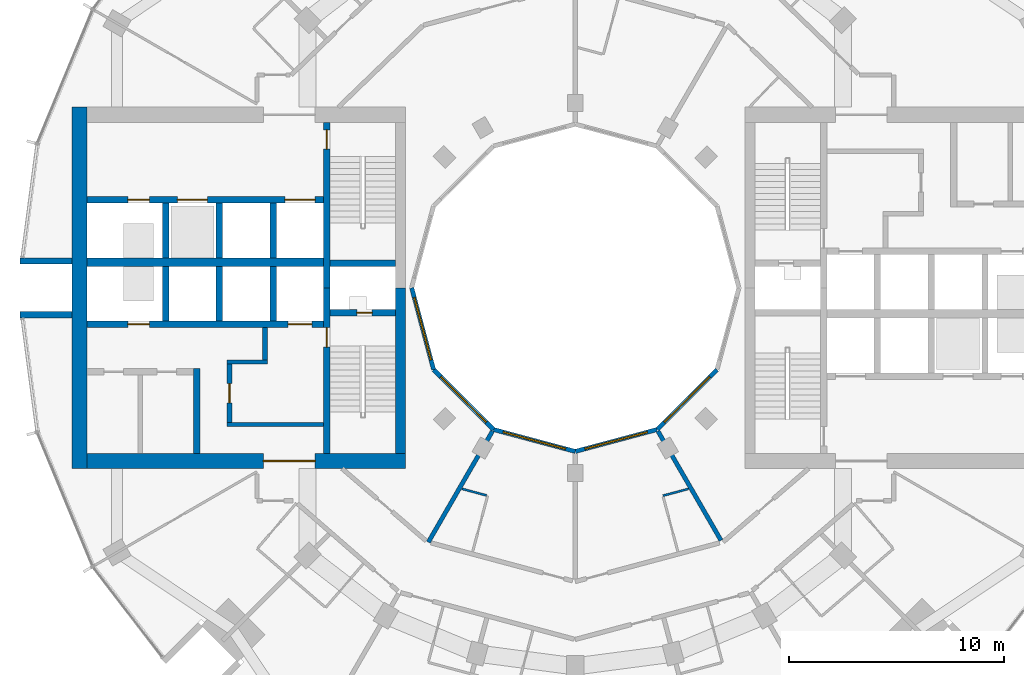
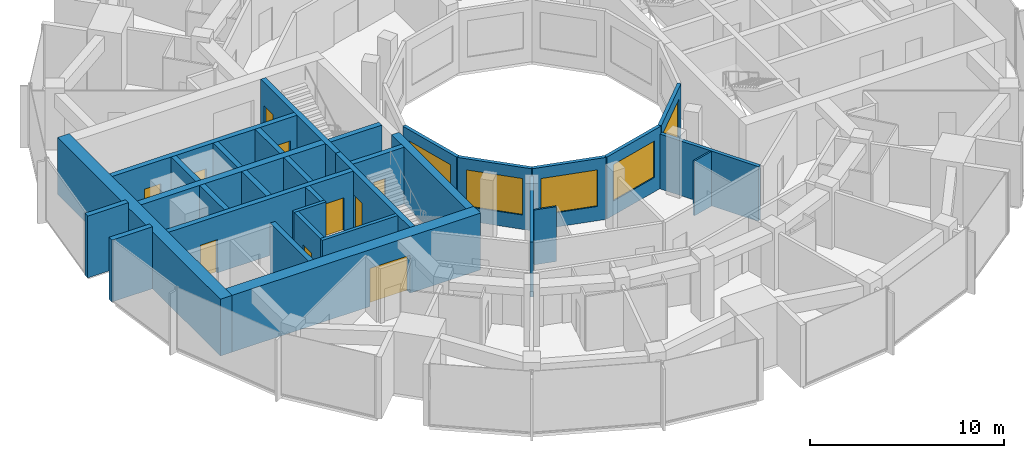
# One storey, part 9 of 15: 32 walls, 10 doors, 5 windows, 15 openings.
"""IFC4 building model written with IfcOpenShell, lengths in metres."""

from ifc_helpers import new_model, si_unit, direction, frame, frame_2d, origin, place, context, subcontext, project, spatial, rectangle, extrude, material, layer, layer_set, type_object, element, fill, save


model = new_model("IFC4")

# Units and contexts
model_context = context("Model", 3, precision=1e-05, world=origin(), true_north=direction((0.0, 1.0)))
body_context = subcontext(model_context, "Body", "Model", "MODEL_VIEW")
ifc_project = project(units=[si_unit("LENGTHUNIT", "METRE"), si_unit("AREAUNIT", "SQUARE_METRE"), si_unit("VOLUMEUNIT", "CUBIC_METRE"), si_unit("PLANEANGLEUNIT", "RADIAN"), si_unit("MASSUNIT", "GRAM", prefix="KILO")], contexts=[model_context])

# Site, building, storey
site_placement = place(None, origin())
site = spatial("IfcSite", under=ifc_project, at=site_placement, CompositionType="ELEMENT")
building_placement = place(site_placement, origin())
building = spatial("IfcBuilding", under=site, at=building_placement, Name="Torre Brocal", CompositionType="ELEMENT")
storey_placement = place(building_placement, frame((0.0, 0.0, 122.39990234375)))
storey = spatial("IfcBuildingStorey", under=building, at=storey_placement, Name="L28", CompositionType="ELEMENT", Elevation=122.39990234375)

# Walls
ifc_material_1 = material(Name="Concrete C70", Category="concrete")
ifc_layer_1 = layer(ifc_material_1, 0.199951171875)
ifc_layer_set_1 = layer_set([ifc_layer_1], Name="Concrete C70")
wall_type_1 = type_object("IfcWallType", Name="CORE WALL 200 C70", PredefinedType="SHEAR", material=ifc_layer_set_1)
wall_1_placement = place(storey_placement, frame((68.300048828125, 68.64990234375, 0.0), z_axis=(0.0, 0.0, 1.0), x_axis=(-1.0, 0.0, 0.0)))
element("IfcWall", 1, at=wall_1_placement, inside=storey, type_object=wall_type_1, Name="Wall CW200-70", PredefinedType="SHEAR", context=body_context, shape_type="SweptSolid", body=[
    extrude(rectangle(XDim=4.5, YDim=0.199951171875, at=frame_2d((2.25, 0.0))), origin(), (0.0, 0.0, 1.0), 3.580078125),
])
wall_2_placement = place(storey_placement, frame((65.699951171875, 71.550048828125, 0.0), z_axis=(0.0, 0.0, 1.0), x_axis=(-1.0, 0.0, 0.0)))
element("IfcWall", 2, at=wall_2_placement, inside=storey, type_object=wall_type_1, Name="Wall CW200-70", PredefinedType="SHEAR", context=body_context, shape_type="SweptSolid", body=[
    extrude(rectangle(XDim=1.89990234375, YDim=0.199951171875, at=frame_2d((0.949951171875, 0.0))), origin(), (0.0, 0.0, 1.0), 3.580078125),
])

# Wall, opening, door
ifc_material_2 = material(Name="Concrete C70", Category="concrete")
ifc_layer_2 = layer(ifc_material_2, 0.25)
ifc_layer_set_2 = layer_set([ifc_layer_2], Name="Concrete C70")
wall_type_2 = type_object("IfcWallType", Name="CORE WALL 250 C70", PredefinedType="SHEAR", material=ifc_layer_set_2)
wall_3_placement = place(storey_placement, frame((63.925048828125, 71.449951171875, 0.0), z_axis=(0.0, 0.0, 1.0), x_axis=(0.0, -1.0, 0.0)))
wall_3 = element("IfcWall", 3, at=wall_3_placement, inside=storey, type_object=wall_type_2, Name="Wall CW250-70", PredefinedType="SHEAR", context=body_context, shape_type="SweptSolid", body=[
    extrude(rectangle(XDim=2.699951171875, YDim=0.25, at=frame_2d((1.35009765625, 0.0))), origin(), (0.0, 0.0, 1.0), 3.580078125),
])
opening_1_placement = place(wall_3_placement, frame((0.89990234375, 0.0, 0.0)))
opening_1 = element("IfcOpeningElement", 4, at=opening_1_placement, cuts=wall_3, Name="Opening W-D15", PredefinedType="OPENING", context=body_context, shape_type="SweptSolid", body=[
    extrude(rectangle(XDim=0.89990234375, YDim=2.10009765625, at=frame_2d((0.449951171875, 1.050048828125))), frame((0.0, 0.135009765625, 0.0), z_axis=(0.0, -1.0, 0.0), x_axis=(1.0, 0.0, 0.0)), (0.0, 0.0, 1.0), 0.27001953125),
])
ifc_material_3 = material(Name="Steel A653", Category="steel")
door_type_1 = type_object("IfcDoorType", Name="LOBBY DOOR FD120 900X2100", OperationType="SINGLE_SWING_RIGHT", PredefinedType="DOOR", material=ifc_material_3)
door_1_placement = place(opening_1_placement, origin())
door_1 = element("IfcDoor", 5, at=door_1_placement, inside=storey, type_object=door_type_1, Name="Door W-D15", OperationType="SINGLE_SWING_LEFT", OverallHeight=2.10009765625, OverallWidth=0.89990234375, PredefinedType="DOOR", context=body_context, shape_type="SweptSolid", body=[
    extrude(rectangle(XDim=0.89990234375, YDim=2.10009765625, at=frame_2d((0.449951171875, 1.050048828125))), frame((0.0, 0.02490234375, 0.0), z_axis=(0.0, -1.0, 0.0), x_axis=(1.0, 0.0, 0.0)), (0.0, 0.0, 1.0), 0.050048828125),
])
fill(opening_1, door_1)

# Wall
wall_4_placement = place(storey_placement, frame((65.574951171875, 73.14990234375, 0.0), z_axis=(0.0, 0.0, 1.0), x_axis=(0.0, -1.0, 0.0)))
element("IfcWall", 6, at=wall_4_placement, inside=storey, type_object=wall_type_2, Name="Wall CW250-70", PredefinedType="SHEAR", context=body_context, shape_type="SweptSolid", body=[
    extrude(rectangle(XDim=1.5, YDim=0.25, at=frame_2d((0.75, 0.0))), origin(), (0.0, 0.0, 1.0), 3.580078125),
])

# Wall, opening, door
ifc_material_4 = material(Name="Concrete C70", Category="concrete")
ifc_layer_3 = layer(ifc_material_4, 0.300048828125)
ifc_layer_set_3 = layer_set([ifc_layer_3], Name="Concrete C70")
wall_type_3 = type_object("IfcWallType", Name="CORE WALL 300 C70", PredefinedType="SHEAR", material=ifc_layer_set_3)
wall_5_placement = place(storey_placement, frame((68.449951171875, 75.0, 0.0), z_axis=(0.0, 0.0, 1.0), x_axis=(0.0, -1.0, 0.0)))
wall_5 = element("IfcWall", 7, at=wall_5_placement, inside=storey, type_object=wall_type_3, Name="Wall CW300-70", PredefinedType="SHEAR", context=body_context, shape_type="SweptSolid", body=[
    extrude(rectangle(XDim=7.699951171875, YDim=0.300048828125, at=frame_2d((3.85009765625, 0.0))), origin(), (0.0, 0.0, 1.0), 3.580078125),
])
opening_2_placement = place(wall_5_placement, frame((1.85009765625, 0.0, 0.0)))
opening_2 = element("IfcOpeningElement", 8, at=opening_2_placement, cuts=wall_5, Name="Opening W-D02", PredefinedType="OPENING", context=body_context, shape_type="SweptSolid", body=[
    extrude(rectangle(XDim=0.89990234375, YDim=2.10009765625, at=frame_2d((0.449951171875, 1.050048828125))), frame((0.0, 0.159912109375, 0.0), z_axis=(0.0, -1.0, 0.0), x_axis=(1.0, 0.0, 0.0)), (0.0, 0.0, 1.0), 0.320068359375),
])
ifc_material_5 = material(Name="Steel A653", Category="steel")
door_type_2 = type_object("IfcDoorType", Name="STAIR DOOR FD120 900X2100", OperationType="SINGLE_SWING_RIGHT", PredefinedType="DOOR", material=ifc_material_5)
door_2_placement = place(opening_2_placement, origin())
door_2 = element("IfcDoor", 9, at=door_2_placement, inside=storey, type_object=door_type_2, Name="Door W-D02", OperationType="SINGLE_SWING_LEFT", OverallHeight=2.10009765625, OverallWidth=0.89990234375, PredefinedType="DOOR", context=body_context, shape_type="SweptSolid", body=[
    extrude(rectangle(XDim=0.89990234375, YDim=2.10009765625, at=frame_2d((0.449951171875, 1.050048828125))), frame((0.0, 0.02490234375, 0.0), z_axis=(0.0, -1.0, 0.0), x_axis=(1.0, 0.0, 0.0)), (0.0, 0.0, 1.0), 0.050048828125),
])
fill(opening_2, door_2)

wall_6_placement = place(storey_placement, frame((68.449951171875, 82.699951171875, 0.0), z_axis=(0.0, 0.0, 1.0), x_axis=(0.0, -1.0, 0.0)))
wall_6 = element("IfcWall", 10, at=wall_6_placement, inside=storey, type_object=wall_type_3, Name="Wall CW300-70", PredefinedType="SHEAR", context=body_context, shape_type="SweptSolid", body=[
    extrude(rectangle(XDim=7.699951171875, YDim=0.300048828125, at=frame_2d((3.85009765625, 0.0))), origin(), (0.0, 0.0, 1.0), 3.580078125),
])
opening_3_placement = place(wall_6_placement, frame((0.35009765625, 0.0, 0.0)))
opening_3 = element("IfcOpeningElement", 11, at=opening_3_placement, cuts=wall_6, Name="Opening W-D03", PredefinedType="OPENING", context=body_context, shape_type="SweptSolid", body=[
    extrude(rectangle(XDim=0.89990234375, YDim=2.10009765625, at=frame_2d((0.449951171875, 1.050048828125))), frame((0.0, 0.159912109375, 0.0), z_axis=(0.0, -1.0, 0.0), x_axis=(1.0, 0.0, 0.0)), (0.0, 0.0, 1.0), 0.320068359375),
])
door_3_placement = place(opening_3_placement, origin())
door_3 = element("IfcDoor", 12, at=door_3_placement, inside=storey, type_object=door_type_2, Name="Door W-D03", OperationType="SINGLE_SWING_LEFT", OverallHeight=2.10009765625, OverallWidth=0.89990234375, PredefinedType="DOOR", context=body_context, shape_type="SweptSolid", body=[
    extrude(rectangle(XDim=0.89990234375, YDim=2.10009765625, at=frame_2d((0.449951171875, 1.050048828125))), frame((0.0, 0.02490234375, 0.0), z_axis=(0.0, -1.0, 0.0), x_axis=(1.0, 0.0, 0.0)), (0.0, 0.0, 1.0), 0.050048828125),
])
fill(opening_3, door_3)

wall_7_placement = place(storey_placement, frame((71.64990234375, 73.85009765625, 0.0), z_axis=(0.0, 0.0, 1.0), x_axis=(-1.0, 0.0, 0.0)))
wall_7 = element("IfcWall", 13, at=wall_7_placement, inside=storey, type_object=wall_type_3, Name="Wall CW300-70", PredefinedType="SHEAR", context=body_context, shape_type="SweptSolid", body=[
    extrude(rectangle(XDim=3.0498046875, YDim=0.300048828125, at=frame_2d((1.52490234375, 0.0))), origin(), (0.0, 0.0, 1.0), 3.580078125),
])
opening_4_placement = place(wall_7_placement, frame((1.10009765625, 0.0, 0.0)))
opening_4 = element("IfcOpeningElement", 14, at=opening_4_placement, cuts=wall_7, Name="Opening W-D01", PredefinedType="OPENING", context=body_context, shape_type="SweptSolid", body=[
    extrude(rectangle(XDim=0.699951171875, YDim=2.0, at=frame_2d((0.35009765625, 1.0))), frame((0.0, 0.159912109375, 0.0), z_axis=(0.0, -1.0, 0.0), x_axis=(1.0, 0.0, 0.0)), (0.0, 0.0, 1.0), 0.320068359375),
])
ifc_material_6 = material(Name="Steel A653", Category="steel")
door_type_3 = type_object("IfcDoorType", Name="RISER DOOR FD120 700X2000", OperationType="SINGLE_SWING_LEFT", PredefinedType="DOOR", material=ifc_material_6)
door_4_placement = place(opening_4_placement, frame((0.699951171875, 0.0, 0.0), z_axis=(0.0, 0.0, 1.0), x_axis=(-1.0, 0.0, 0.0)))
door_4 = element("IfcDoor", 15, at=door_4_placement, inside=storey, type_object=door_type_3, Name="Door W-D01", OperationType="SINGLE_SWING_RIGHT", OverallHeight=2.0, OverallWidth=0.699951171875, PredefinedType="DOOR", context=body_context, shape_type="SweptSolid", body=[
    extrude(rectangle(XDim=0.699951171875, YDim=2.0, at=frame_2d((0.35009765625, 1.0))), frame((0.0, 0.02490234375, 0.0), z_axis=(0.0, -1.0, 0.0), x_axis=(1.0, 0.0, 0.0)), (0.0, 0.0, 1.0), 0.050048828125),
])
fill(opening_4, door_4)

# Wall
wall_8_placement = place(storey_placement, frame((71.64990234375, 76.14990234375, 0.0), z_axis=(0.0, 0.0, 1.0), x_axis=(-1.0, 0.0, 0.0)))
element("IfcWall", 16, at=wall_8_placement, inside=storey, type_object=wall_type_3, Name="Wall CW300-70", PredefinedType="SHEAR", context=body_context, shape_type="SweptSolid", body=[
    extrude(rectangle(XDim=3.0498046875, YDim=0.300048828125, at=frame_2d((1.52490234375, 0.0))), origin(), (0.0, 0.0, 1.0), 3.580078125),
])

# Wall, openings, doors
wall_9_placement = place(storey_placement, frame((68.300048828125, 73.300048828125, 0.0), z_axis=(0.0, 0.0, 1.0), x_axis=(-1.0, 0.0, 0.0)))
wall_9 = element("IfcWall", 17, at=wall_9_placement, inside=storey, type_object=wall_type_3, Name="Wall CW300-70", PredefinedType="SHEAR", context=body_context, shape_type="SweptSolid", body=[
    extrude(rectangle(XDim=11.0, YDim=0.300048828125, at=frame_2d((5.5, 0.0))), origin(), (0.0, 0.0, 1.0), 3.580078125),
])
opening_5_placement = place(wall_9_placement, frame((0.550048828125, 0.0, 0.0)))
opening_5 = element("IfcOpeningElement", 18, at=opening_5_placement, cuts=wall_9, Name="Opening LD", PredefinedType="OPENING", context=body_context, shape_type="SweptSolid", body=[
    extrude(rectangle(XDim=1.10009765625, YDim=2.10009765625, at=frame_2d((0.550048828125, 1.050048828125))), frame((0.0, 0.159912109375, 0.0), z_axis=(0.0, -1.0, 0.0), x_axis=(1.0, 0.0, 0.0)), (0.0, 0.0, 1.0), 0.320068359375),
])
opening_6_placement = place(wall_9_placement, frame((8.10009765625, 0.0, 0.0)))
opening_6 = element("IfcOpeningElement", 19, at=opening_6_placement, cuts=wall_9, Name="Opening LD10", PredefinedType="OPENING", context=body_context, shape_type="SweptSolid", body=[
    extrude(rectangle(XDim=1.0, YDim=2.10009765625, at=frame_2d((0.5, 1.050048828125))), frame((0.0, 0.159912109375, 0.0), z_axis=(0.0, -1.0, 0.0), x_axis=(1.0, 0.0, 0.0)), (0.0, 0.0, 1.0), 0.320068359375),
])
ifc_material_7 = material(Name="Stainless steel AISI 316", Category="steel")
door_type_4 = type_object("IfcDoorType", Name="LIFT LANDING DOOR 1000X2100", OperationType="DOUBLE_DOOR_SLIDING", PredefinedType="DOOR", material=ifc_material_7)
door_5_placement = place(opening_6_placement, origin())
door_5 = element("IfcDoor", 20, at=door_5_placement, inside=storey, type_object=door_type_4, Name="Door LD10", OperationType="DOUBLE_DOOR_SLIDING", OverallHeight=2.10009765625, OverallWidth=1.0, PredefinedType="DOOR", context=body_context, shape_type="SweptSolid", body=[
    extrude(rectangle(XDim=1.0, YDim=2.10009765625, at=frame_2d((0.5, 1.050048828125))), frame((0.0, 0.02490234375, 0.0), z_axis=(0.0, -1.0, 0.0), x_axis=(1.0, 0.0, 0.0)), (0.0, 0.0, 1.0), 0.050048828125),
])
fill(opening_6, door_5)
ifc_material_8 = material(Name="Stainless steel AISI 316", Category="steel")
door_type_5 = type_object("IfcDoorType", Name="LIFT LANDING DOOR 1100X2100", OperationType="DOUBLE_DOOR_SLIDING", PredefinedType="DOOR", material=ifc_material_8)
door_6_placement = place(opening_5_placement, origin())
door_6 = element("IfcDoor", 21, at=door_6_placement, inside=storey, type_object=door_type_5, Name="Door LD", OperationType="DOUBLE_DOOR_SLIDING", OverallHeight=2.10009765625, OverallWidth=1.10009765625, PredefinedType="DOOR", context=body_context, shape_type="SweptSolid", body=[
    extrude(rectangle(XDim=1.10009765625, YDim=2.10009765625, at=frame_2d((0.550048828125, 1.050048828125))), frame((0.0, 0.02490234375, 0.0), z_axis=(0.0, -1.0, 0.0), x_axis=(1.0, 0.0, 0.0)), (0.0, 0.0, 1.0), 0.050048828125),
])
fill(opening_5, door_6)

wall_10_placement = place(storey_placement, frame((68.300048828125, 79.10009765625, 0.0), z_axis=(0.0, 0.0, 1.0), x_axis=(-1.0, 0.0, 0.0)))
wall_10 = element("IfcWall", 22, at=wall_10_placement, inside=storey, type_object=wall_type_3, Name="Wall CW300-70", PredefinedType="SHEAR", context=body_context, shape_type="SweptSolid", body=[
    extrude(rectangle(XDim=11.0, YDim=0.300048828125, at=frame_2d((5.5, 0.0))), origin(), (0.0, 0.0, 1.0), 3.580078125),
])
opening_7_placement = place(wall_10_placement, frame((0.39990234375, 0.0, 0.0)))
opening_7 = element("IfcOpeningElement", 23, at=opening_7_placement, cuts=wall_10, Name="Opening LD14", PredefinedType="OPENING", context=body_context, shape_type="SweptSolid", body=[
    extrude(rectangle(XDim=1.39990234375, YDim=2.10009765625, at=frame_2d((0.699951171875, 1.050048828125))), frame((0.0, 0.159912109375, 0.0), z_axis=(0.0, -1.0, 0.0), x_axis=(1.0, 0.0, 0.0)), (0.0, 0.0, 1.0), 0.320068359375),
])
opening_8_placement = place(wall_10_placement, frame((5.39990234375, 0.0, 0.0)))
opening_8 = element("IfcOpeningElement", 24, at=opening_8_placement, cuts=wall_10, Name="Opening LD14", PredefinedType="OPENING", context=body_context, shape_type="SweptSolid", body=[
    extrude(rectangle(XDim=1.39990234375, YDim=2.10009765625, at=frame_2d((0.699951171875, 1.050048828125))), frame((0.0, 0.159912109375, 0.0), z_axis=(0.0, -1.0, 0.0), x_axis=(1.0, 0.0, 0.0)), (0.0, 0.0, 1.0), 0.320068359375),
])
opening_9_placement = place(wall_10_placement, frame((8.10009765625, 0.0, 0.0)))
opening_9 = element("IfcOpeningElement", 25, at=opening_9_placement, cuts=wall_10, Name="Opening LD10", PredefinedType="OPENING", context=body_context, shape_type="SweptSolid", body=[
    extrude(rectangle(XDim=1.0, YDim=2.10009765625, at=frame_2d((0.5, 1.050048828125))), frame((0.0, 0.159912109375, 0.0), z_axis=(0.0, -1.0, 0.0), x_axis=(1.0, 0.0, 0.0)), (0.0, 0.0, 1.0), 0.320068359375),
])
door_7_placement = place(opening_9_placement, origin())
door_7 = element("IfcDoor", 26, at=door_7_placement, inside=storey, type_object=door_type_4, Name="Door LD10", OperationType="DOUBLE_DOOR_SLIDING", OverallHeight=2.10009765625, OverallWidth=1.0, PredefinedType="DOOR", context=body_context, shape_type="SweptSolid", body=[
    extrude(rectangle(XDim=1.0, YDim=2.10009765625, at=frame_2d((0.5, 1.050048828125))), frame((0.0, 0.02490234375, 0.0), z_axis=(0.0, -1.0, 0.0), x_axis=(1.0, 0.0, 0.0)), (0.0, 0.0, 1.0), 0.050048828125),
])
fill(opening_9, door_7)
ifc_material_9 = material(Name="Stainless steel AISI 316", Category="steel")
door_type_6 = type_object("IfcDoorType", Name="LIFT LANDING DOOR 1400X2100", OperationType="DOUBLE_DOOR_SLIDING", PredefinedType="DOOR", material=ifc_material_9)
door_8_placement = place(opening_7_placement, origin())
door_8 = element("IfcDoor", 27, at=door_8_placement, inside=storey, type_object=door_type_6, Name="Door LD14", OperationType="DOUBLE_DOOR_SLIDING", OverallHeight=2.10009765625, OverallWidth=1.39990234375, PredefinedType="DOOR", context=body_context, shape_type="SweptSolid", body=[
    extrude(rectangle(XDim=1.39990234375, YDim=2.10009765625, at=frame_2d((0.699951171875, 1.050048828125))), frame((0.0, 0.02490234375, 0.0), z_axis=(0.0, -1.0, 0.0), x_axis=(1.0, 0.0, 0.0)), (0.0, 0.0, 1.0), 0.050048828125),
])
fill(opening_7, door_8)
door_9_placement = place(opening_8_placement, origin())
door_9 = element("IfcDoor", 28, at=door_9_placement, inside=storey, type_object=door_type_6, Name="Door LD14", OperationType="DOUBLE_DOOR_SLIDING", OverallHeight=2.10009765625, OverallWidth=1.39990234375, PredefinedType="DOOR", context=body_context, shape_type="SweptSolid", body=[
    extrude(rectangle(XDim=1.39990234375, YDim=2.10009765625, at=frame_2d((0.699951171875, 1.050048828125))), frame((0.0, 0.02490234375, 0.0), z_axis=(0.0, -1.0, 0.0), x_axis=(1.0, 0.0, 0.0)), (0.0, 0.0, 1.0), 0.050048828125),
])
fill(opening_8, door_9)

# Walls
for number, where, z_axis, x_axis, name in (
    (29, (65.949951171875, 76.0, 0.0), (0.0, 0.0, 1.0), (0.0, -1.0, 0.0), "Wall CW300-70"),
    (30, (63.449951171875, 76.0, 0.0), (0.0, 0.0, 1.0), (0.0, -1.0, 0.0), "Wall CW300-70"),
    (31, (60.949951171875, 76.0, 0.0), (0.0, 0.0, 1.0), (0.0, -1.0, 0.0), "Wall CW300-70"),
    (32, (65.949951171875, 78.949951171875, 0.0), (0.0, 0.0, 1.0), (0.0, -1.0, 0.0), "Wall CW300-70"),
    (33, (63.449951171875, 78.949951171875, 0.0), (0.0, 0.0, 1.0), (0.0, -1.0, 0.0), "Wall CW300-70"),
    (34, (60.949951171875, 78.949951171875, 0.0), (0.0, 0.0, 1.0), (0.0, -1.0, 0.0), "Wall CW300-70"),
):
    element("IfcWall", number, at=place(storey_placement, frame(where, z_axis=z_axis, x_axis=x_axis)), inside=storey, type_object=wall_type_3, Name=name, PredefinedType="SHEAR", context=body_context, shape_type="SweptSolid", body=[
        extrude(rectangle(XDim=2.550048828125, YDim=0.300048828125, at=frame_2d((1.27490234375, 0.0))), origin(), (0.0, 0.0, 1.0), 3.580078125),
    ])
wall_11_placement = place(storey_placement, frame((62.39990234375, 71.25, 0.0), z_axis=(0.0, 0.0, 1.0), x_axis=(0.0, -1.0, 0.0)))
element("IfcWall", 35, at=wall_11_placement, inside=storey, type_object=wall_type_3, Name="Wall CW300-70", PredefinedType="SHEAR", context=body_context, shape_type="SweptSolid", body=[
    extrude(rectangle(XDim=3.949951171875, YDim=0.300048828125, at=frame_2d((1.97509765625, 0.0))), origin(), (0.0, 0.0, 1.0), 3.580078125),
])
ifc_material_10 = material(Name="Concrete C70", Category="concrete")
ifc_layer_4 = layer(ifc_material_10, 0.39990234375)
ifc_layer_set_4 = layer_set([ifc_layer_4], Name="Concrete C70")
wall_type_4 = type_object("IfcWallType", Name="CORE WALL 400 C70", PredefinedType="SHEAR", material=ifc_layer_set_4)
wall_12_placement = place(storey_placement, frame((68.300048828125, 76.199951171875, 0.0), z_axis=(0.0, 0.0, 1.0), x_axis=(-1.0, 0.0, 0.0)))
element("IfcWall", 36, at=wall_12_placement, inside=storey, type_object=wall_type_4, Name="Wall CW400-70", PredefinedType="SHEAR", context=body_context, shape_type="SweptSolid", body=[
    extrude(rectangle(XDim=11.0, YDim=0.39990234375, at=frame_2d((5.5, 0.0))), origin(), (0.0, 0.0, 1.0), 3.580078125),
])
ifc_material_11 = material(Name="Concrete C70", Category="concrete")
ifc_layer_5 = layer(ifc_material_11, 0.449951171875)
ifc_layer_set_5 = layer_set([ifc_layer_5], Name="Concrete C70")
wall_type_5 = type_object("IfcWallType", Name="CORE WALL 450 C70", PredefinedType="SHEAR", material=ifc_layer_set_5)
wall_13_placement = place(storey_placement, frame((71.875, 75.0, 0.0), z_axis=(0.0, 0.0, 1.0), x_axis=(0.0, -1.0, 0.0)))
element("IfcWall", 37, at=wall_13_placement, inside=storey, type_object=wall_type_5, Name="Wall CW450-70", PredefinedType="SHEAR", context=body_context, shape_type="SweptSolid", body=[
    extrude(rectangle(XDim=7.699951171875, YDim=0.449951171875, at=frame_2d((3.85009765625, 0.0))), origin(), (0.0, 0.0, 1.0), 3.580078125),
])

# Wall, opening, door
ifc_material_12 = material(Name="Concrete C70", Category="concrete")
ifc_layer_6 = layer(ifc_material_12, 0.699951171875)
ifc_layer_set_6 = layer_set([ifc_layer_6], Name="Concrete C70")
wall_type_6 = type_object("IfcWallType", Name="CORE WALL 700 C70", PredefinedType="SHEAR", material=ifc_layer_set_6)
wall_14_placement = place(storey_placement, frame((72.10009765625, 66.949951171875, 0.0), z_axis=(0.0, 0.0, 1.0), x_axis=(-1.0, 0.0, 0.0)))
wall_14 = element("IfcWall", 38, at=wall_14_placement, inside=storey, type_object=wall_type_6, Name="Wall CW700-70", PredefinedType="SHEAR", context=body_context, shape_type="SweptSolid", body=[
    extrude(rectangle(XDim=14.800048828125, YDim=0.699951171875, at=frame_2d((7.39990234375, 0.0))), origin(), (0.0, 0.0, 1.0), 3.580078125),
])
opening_10_placement = place(wall_14_placement, frame((4.199951171875, 0.0, 0.0)))
opening_10 = element("IfcOpeningElement", 39, at=opening_10_placement, cuts=wall_14, Name="Opening W-D24", PredefinedType="OPENING", context=body_context, shape_type="SweptSolid", body=[
    extrude(rectangle(XDim=2.39990234375, YDim=2.39990234375, at=frame_2d((1.199951171875, 1.199951171875))), frame((0.0, 0.35986328125, 0.0), z_axis=(0.0, -1.0, 0.0), x_axis=(1.0, 0.0, 0.0)), (0.0, 0.0, 1.0), 0.719970703125),
])
ifc_material_13 = material(Name="Steel A653", Category="steel")
door_type_7 = type_object("IfcDoorType", Name="DOUBLE FIRE DOOR FD90 2400X2400", OperationType="DOUBLE_DOOR_SINGLE_SWING", PredefinedType="DOOR", material=ifc_material_13)
door_10_placement = place(opening_10_placement, frame((2.39990234375, 0.0, 0.0), z_axis=(0.0, 0.0, 1.0), x_axis=(-1.0, 0.0, 0.0)))
door_10 = element("IfcDoor", 40, at=door_10_placement, inside=storey, type_object=door_type_7, Name="Door W-D24", OperationType="DOUBLE_DOOR_SINGLE_SWING", OverallHeight=2.39990234375, OverallWidth=2.39990234375, PredefinedType="DOOR", context=body_context, shape_type="SweptSolid", body=[
    extrude(rectangle(XDim=2.39990234375, YDim=2.39990234375, at=frame_2d((1.199951171875, 1.199951171875))), frame((0.0, 0.02490234375, 0.0), z_axis=(0.0, -1.0, 0.0), x_axis=(1.0, 0.0, 0.0)), (0.0, 0.0, 1.0), 0.050048828125),
])
fill(opening_10, door_10)

# Walls
wall_15_placement = place(storey_placement, frame((56.949951171875, 83.39990234375, 0.0), z_axis=(0.0, 0.0, 1.0), x_axis=(0.0, -1.0, 0.0)))
element("IfcWall", 41, at=wall_15_placement, inside=storey, type_object=wall_type_6, Name="Wall CW700-70", PredefinedType="SHEAR", context=body_context, shape_type="SweptSolid", body=[
    extrude(rectangle(XDim=16.7998046875, YDim=0.699951171875, at=frame_2d((8.39990234375, 0.0))), origin(), (0.0, 0.0, 1.0), 3.580078125),
])
ifc_material_14 = material(Name="Concrete C70", Category="concrete")
ifc_layer_7 = layer(ifc_material_14, 0.300048828125)
ifc_layer_set_7 = layer_set([ifc_layer_7], Name="Concrete C70")
wall_type_7 = type_object("IfcWallType", Name="NOTCH RETURN WALL 300 C70", PredefinedType="NOTDEFINED", material=ifc_layer_set_7)
for number, where, z_axis, x_axis, name in (
    (42, (56.60009765625, 76.25, 0.0), (0.0, 0.0, 1.0), (-1.0, 0.0, 0.0), "NOTCH RETURN WALL"),
    (43, (56.60009765625, 73.75, 0.0), (0.0, 0.0, 1.0), (-1.0, 0.0, 0.0), "NOTCH RETURN WALL"),
):
    element("IfcWall", number, at=place(storey_placement, frame(where, z_axis=z_axis, x_axis=x_axis)), inside=storey, type_object=wall_type_7, Name=name, PredefinedType="NOTDEFINED", context=body_context, shape_type="SweptSolid", body=[
        extrude(rectangle(XDim=2.415771484375, YDim=0.300048828125, at=frame_2d((1.2080078125, 0.0))), origin(), (0.0, 0.0, 1.0), 3.900146484375),
    ])
ifc_material_15 = material(Name="Gypsum board", Category="Gypsum")
ifc_layer_8 = layer(ifc_material_15, 0.10009765625)
ifc_layer_set_8 = layer_set([ifc_layer_8], Name="Gypsum board")
wall_type_8 = type_object("IfcWallType", Name="PARTITION 100", PredefinedType="PARTITIONING", material=ifc_layer_set_8)
wall_16_placement = place(storey_placement, frame((74.729248046875, 65.657470703125, 0.0), z_axis=(0.0, 0.0, 1.0), x_axis=(0.965948051503, -0.258736085224, 0.0)))
element("IfcWall", 44, at=wall_16_placement, inside=storey, type_object=wall_type_8, Name="BATHROOM WALL", PredefinedType="PARTITIONING", context=body_context, shape_type="SweptSolid", body=[
    extrude(rectangle(XDim=1.18896484375, YDim=0.10009765625, at=frame_2d((0.594482421875, 0.0))), origin(), (0.0, 0.0, 1.0), 3.4501953125),
])
wall_17_placement = place(storey_placement, frame((84.073974609375, 65.3369140625, 0.0), z_axis=(0.0, 0.0, 1.0), x_axis=(0.965914351064, 0.258861867428, 0.0)))
element("IfcWall", 45, at=wall_17_placement, inside=storey, type_object=wall_type_8, Name="BATHROOM WALL", PredefinedType="PARTITIONING", context=body_context, shape_type="SweptSolid", body=[
    extrude(rectangle(XDim=1.22900390625, YDim=0.10009765625, at=frame_2d((0.614501953125, 0.0))), origin(), (0.0, 0.0, 1.0), 3.4501953125),
])
ifc_material_16 = material(Name="Gypsum board", Category="Gypsum")
ifc_layer_9 = layer(ifc_material_16, 0.199951171875)
ifc_layer_set_9 = layer_set([ifc_layer_9], Name="Gypsum board")
wall_type_9 = type_object("IfcWallType", Name="PARTITION 200 EI60", PredefinedType="PARTITIONING", material=ifc_layer_set_9)
wall_18_placement = place(storey_placement, frame((73.169189453125, 63.17822265625, 0.0), z_axis=(0.0, 0.0, 1.0), x_axis=(0.500239348149, 0.865887171959, 0.0)))
element("IfcWall", 46, at=wall_18_placement, inside=storey, type_object=wall_type_9, Name="BATHROOM WALL", PredefinedType="PARTITIONING", context=body_context, shape_type="SweptSolid", body=[
    extrude(rectangle(XDim=5.955078125, YDim=0.199951171875, at=frame_2d((2.9775390625, 0.0))), origin(), (0.0, 0.0, 1.0), 3.4501953125),
])
wall_19_placement = place(storey_placement, frame((83.84765625, 68.332275390625, 0.0), z_axis=(0.0, 0.0, 1.0), x_axis=(0.499933000352, -0.866064082594, 0.0)))
element("IfcWall", 47, at=wall_19_placement, inside=storey, type_object=wall_type_9, Name="BATHROOM WALL", PredefinedType="PARTITIONING", context=body_context, shape_type="SweptSolid", body=[
    extrude(rectangle(XDim=5.855224609375, YDim=0.199951171875, at=frame_2d((2.927734375, 0.0))), origin(), (0.0, 0.0, 1.0), 3.4501953125),
])

# Wall, opening, window
ifc_material_17 = material(Name="Concrete C40", Category="concrete")
ifc_layer_10 = layer(ifc_material_17, 0.199951171875)
ifc_layer_set_10 = layer_set([ifc_layer_10], Name="Concrete C40")
wall_type_10 = type_object("IfcWallType", Name="WELL FACADE WALL 200", PredefinedType="NOTDEFINED", material=ifc_layer_set_10)
wall_20_placement = place(storey_placement, frame((72.396484375, 75.0, 0.0), z_axis=(0.0, 0.0, 1.0), x_axis=(0.258789828301, -0.965933654434, 0.0)))
wall_20 = element("IfcWall", 48, at=wall_20_placement, inside=storey, type_object=wall_type_10, Name="WELL FACADE WALL", PredefinedType="NOTDEFINED", context=body_context, shape_type="SweptSolid", body=[
    extrude(rectangle(XDim=3.935791015625, YDim=0.199951171875, at=frame_2d((1.9677734375, 0.0))), origin(), (0.0, 0.0, 1.0), 3.900146484375),
])
opening_11_placement = place(wall_20_placement, frame((0.468017578125, 0.0, 0.89990234375)))
opening_11 = element("IfcOpeningElement", 49, at=opening_11_placement, cuts=wall_20, Name="Opening W1", PredefinedType="OPENING", context=body_context, shape_type="SweptSolid", body=[
    extrude(rectangle(XDim=3.0, YDim=2.300048828125, at=frame_2d((1.5, 1.14990234375))), frame((0.0, 0.10986328125, 0.0), z_axis=(0.0, -1.0, 0.0), x_axis=(1.0, 0.0, 0.0)), (0.0, 0.0, 1.0), 0.219970703125),
])
ifc_material_18 = material(Name="Aluminium and glass", Category="aluminium")
window_type = type_object("IfcWindowType", Name="WELL WINDOW 3000X2300", PartitioningType="SINGLE_PANEL", PredefinedType="WINDOW", material=ifc_material_18)
window_1_placement = place(opening_11_placement, origin())
window_1 = element("IfcWindow", 50, at=window_1_placement, inside=storey, type_object=window_type, Name="WELL WINDOW 3000X2300", OverallHeight=2.300048828125, OverallWidth=3.0, PartitioningType="SINGLE_PANEL", PredefinedType="WINDOW", context=body_context, shape_type="SweptSolid", body=[
    extrude(rectangle(XDim=3.0, YDim=2.300048828125, at=frame_2d((1.5, 1.14990234375))), frame((0.0, 0.030029296875, 0.0), z_axis=(0.0, -1.0, 0.0), x_axis=(1.0, 0.0, 0.0)), (0.0, 0.0, 1.0), 0.06005859375),
])
fill(opening_11, window_1)

wall_21_placement = place(storey_placement, frame((73.4150390625, 71.1982421875, 0.0), z_axis=(0.0, 0.0, 1.0), x_axis=(0.707106781187, -0.707106781187, 0.0)))
wall_21 = element("IfcWall", 51, at=wall_21_placement, inside=storey, type_object=wall_type_10, Name="WELL FACADE WALL", PredefinedType="NOTDEFINED", context=body_context, shape_type="SweptSolid", body=[
    extrude(rectangle(XDim=3.93603515625, YDim=0.199951171875, at=frame_2d((1.968017578125, 0.0))), origin(), (0.0, 0.0, 1.0), 3.900146484375),
])
opening_12_placement = place(wall_21_placement, frame((0.468017578125, 0.0, 0.89990234375)))
opening_12 = element("IfcOpeningElement", 52, at=opening_12_placement, cuts=wall_21, Name="Opening W1", PredefinedType="OPENING", context=body_context, shape_type="SweptSolid", body=[
    extrude(rectangle(XDim=3.0, YDim=2.300048828125, at=frame_2d((1.5, 1.14990234375))), frame((0.0, 0.10986328125, 0.0), z_axis=(0.0, -1.0, 0.0), x_axis=(1.0, 0.0, 0.0)), (0.0, 0.0, 1.0), 0.219970703125),
])
window_2_placement = place(opening_12_placement, origin())
window_2 = element("IfcWindow", 53, at=window_2_placement, inside=storey, type_object=window_type, Name="WELL WINDOW 3000X2300", OverallHeight=2.300048828125, OverallWidth=3.0, PartitioningType="SINGLE_PANEL", PredefinedType="WINDOW", context=body_context, shape_type="SweptSolid", body=[
    extrude(rectangle(XDim=3.0, YDim=2.300048828125, at=frame_2d((1.5, 1.14990234375))), frame((0.0, 0.030029296875, 0.0), z_axis=(0.0, -1.0, 0.0), x_axis=(1.0, 0.0, 0.0)), (0.0, 0.0, 1.0), 0.06005859375),
])
fill(opening_12, window_2)

wall_22_placement = place(storey_placement, frame((76.1982421875, 68.4150390625, 0.0), z_axis=(0.0, 0.0, 1.0), x_axis=(0.965933654434, -0.258789828301, 0.0)))
wall_22 = element("IfcWall", 54, at=wall_22_placement, inside=storey, type_object=wall_type_10, Name="WELL FACADE WALL", PredefinedType="NOTDEFINED", context=body_context, shape_type="SweptSolid", body=[
    extrude(rectangle(XDim=3.935791015625, YDim=0.199951171875, at=frame_2d((1.9677734375, 0.0))), origin(), (0.0, 0.0, 1.0), 3.900146484375),
])
opening_13_placement = place(wall_22_placement, frame((0.468017578125, 0.0, 0.89990234375)))
opening_13 = element("IfcOpeningElement", 55, at=opening_13_placement, cuts=wall_22, Name="Opening W1", PredefinedType="OPENING", context=body_context, shape_type="SweptSolid", body=[
    extrude(rectangle(XDim=3.0, YDim=2.300048828125, at=frame_2d((1.5, 1.14990234375))), frame((0.0, 0.10986328125, 0.0), z_axis=(0.0, -1.0, 0.0), x_axis=(1.0, 0.0, 0.0)), (0.0, 0.0, 1.0), 0.219970703125),
])
window_3_placement = place(opening_13_placement, origin())
window_3 = element("IfcWindow", 56, at=window_3_placement, inside=storey, type_object=window_type, Name="WELL WINDOW 3000X2300", OverallHeight=2.300048828125, OverallWidth=3.0, PartitioningType="SINGLE_PANEL", PredefinedType="WINDOW", context=body_context, shape_type="SweptSolid", body=[
    extrude(rectangle(XDim=3.0, YDim=2.300048828125, at=frame_2d((1.5, 1.14990234375))), frame((0.0, 0.030029296875, 0.0), z_axis=(0.0, -1.0, 0.0), x_axis=(1.0, 0.0, 0.0)), (0.0, 0.0, 1.0), 0.06005859375),
])
fill(opening_13, window_3)

wall_23_placement = place(storey_placement, frame((80.0, 67.396484375, 0.0), z_axis=(0.0, 0.0, 1.0), x_axis=(0.965933654434, 0.258789828301, 0.0)))
wall_23 = element("IfcWall", 57, at=wall_23_placement, inside=storey, type_object=wall_type_10, Name="WELL FACADE WALL", PredefinedType="NOTDEFINED", context=body_context, shape_type="SweptSolid", body=[
    extrude(rectangle(XDim=3.935791015625, YDim=0.199951171875, at=frame_2d((1.9677734375, 0.0))), origin(), (0.0, 0.0, 1.0), 3.900146484375),
])
opening_14_placement = place(wall_23_placement, frame((0.468017578125, 0.0, 0.89990234375)))
opening_14 = element("IfcOpeningElement", 58, at=opening_14_placement, cuts=wall_23, Name="Opening W1", PredefinedType="OPENING", context=body_context, shape_type="SweptSolid", body=[
    extrude(rectangle(XDim=3.0, YDim=2.300048828125, at=frame_2d((1.5, 1.14990234375))), frame((0.0, 0.10986328125, 0.0), z_axis=(0.0, -1.0, 0.0), x_axis=(1.0, 0.0, 0.0)), (0.0, 0.0, 1.0), 0.219970703125),
])
window_4_placement = place(opening_14_placement, origin())
window_4 = element("IfcWindow", 59, at=window_4_placement, inside=storey, type_object=window_type, Name="WELL WINDOW 3000X2300", OverallHeight=2.300048828125, OverallWidth=3.0, PartitioningType="SINGLE_PANEL", PredefinedType="WINDOW", context=body_context, shape_type="SweptSolid", body=[
    extrude(rectangle(XDim=3.0, YDim=2.300048828125, at=frame_2d((1.5, 1.14990234375))), frame((0.0, 0.030029296875, 0.0), z_axis=(0.0, -1.0, 0.0), x_axis=(1.0, 0.0, 0.0)), (0.0, 0.0, 1.0), 0.06005859375),
])
fill(opening_14, window_4)

wall_24_placement = place(storey_placement, frame((83.8017578125, 68.4150390625, 0.0), z_axis=(0.0, 0.0, 1.0), x_axis=(0.707106781187, 0.707106781187, 0.0)))
wall_24 = element("IfcWall", 60, at=wall_24_placement, inside=storey, type_object=wall_type_10, Name="WELL FACADE WALL", PredefinedType="NOTDEFINED", context=body_context, shape_type="SweptSolid", body=[
    extrude(rectangle(XDim=3.93603515625, YDim=0.199951171875, at=frame_2d((1.968017578125, 0.0))), origin(), (0.0, 0.0, 1.0), 3.900146484375),
])
opening_15_placement = place(wall_24_placement, frame((0.468017578125, 0.0, 0.89990234375)))
opening_15 = element("IfcOpeningElement", 61, at=opening_15_placement, cuts=wall_24, Name="Opening W1", PredefinedType="OPENING", context=body_context, shape_type="SweptSolid", body=[
    extrude(rectangle(XDim=3.0, YDim=2.300048828125, at=frame_2d((1.5, 1.14990234375))), frame((0.0, 0.10986328125, 0.0), z_axis=(0.0, -1.0, 0.0), x_axis=(1.0, 0.0, 0.0)), (0.0, 0.0, 1.0), 0.219970703125),
])
window_5_placement = place(opening_15_placement, origin())
window_5 = element("IfcWindow", 62, at=window_5_placement, inside=storey, type_object=window_type, Name="WELL WINDOW 3000X2300", OverallHeight=2.300048828125, OverallWidth=3.0, PartitioningType="SINGLE_PANEL", PredefinedType="WINDOW", context=body_context, shape_type="SweptSolid", body=[
    extrude(rectangle(XDim=3.0, YDim=2.300048828125, at=frame_2d((1.5, 1.14990234375))), frame((0.0, 0.030029296875, 0.0), z_axis=(0.0, -1.0, 0.0), x_axis=(1.0, 0.0, 0.0)), (0.0, 0.0, 1.0), 0.06005859375),
])
fill(opening_15, window_5)

save(model, "model.ifc")
